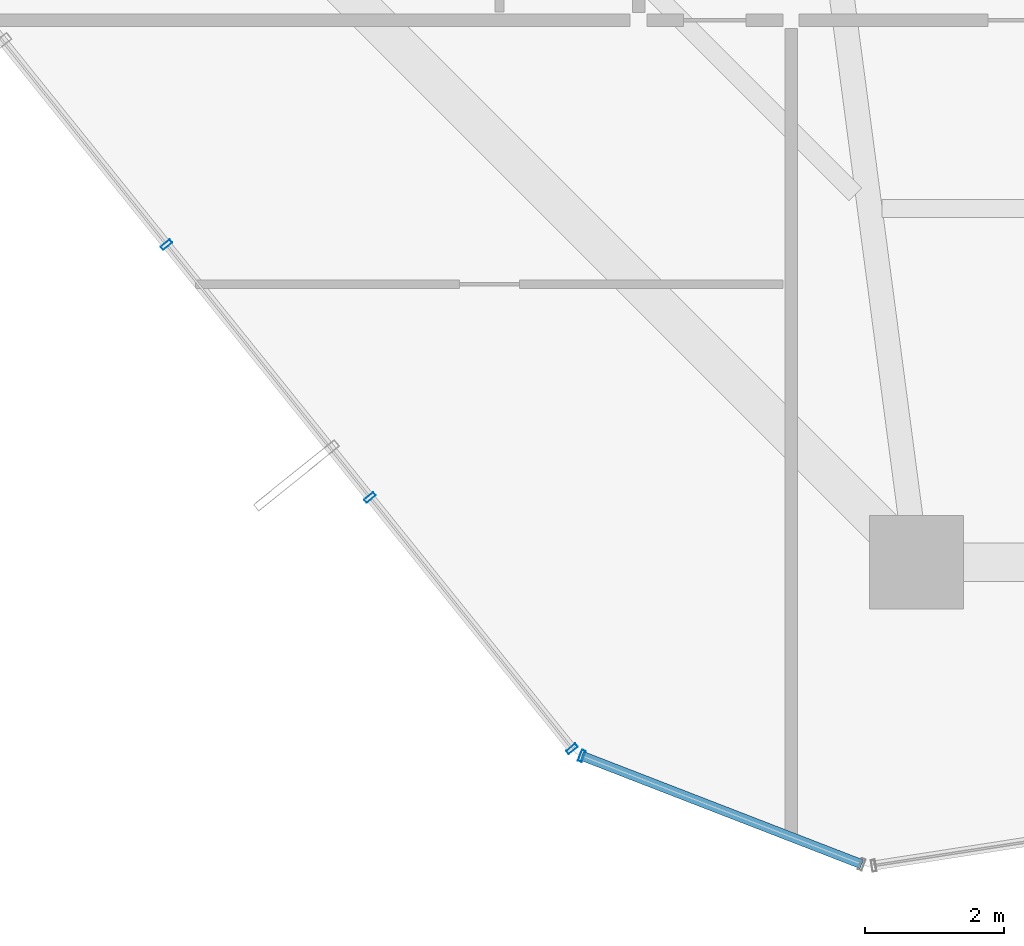
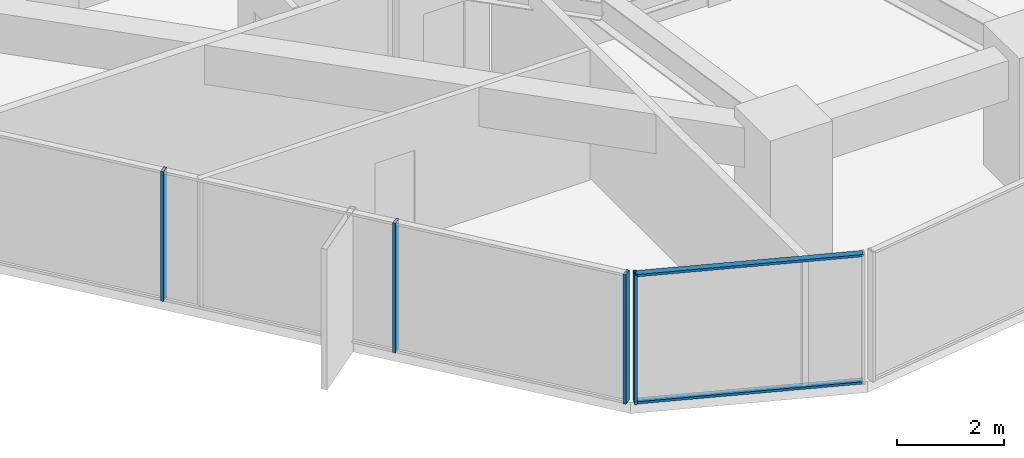
# One storey, part 2 of 37: 6 members, 2 elements without a shape of their own.
"""IFC4 building model written with IfcOpenShell, lengths in metres."""

from ifc_helpers import new_model, si_unit, direction, frame, origin, origin_2d, place, context, subcontext, project, spatial, hollow_rectangle, extrude, source, transform, mapped, material, layer, layer_set, material_profile, profile_set, type_object, element, aggregate, save


model = new_model("IFC4")

# Units and contexts
model_context = context("Model", 3, precision=1e-05, world=origin(), true_north=direction((0.0, 1.0)))
body_context = subcontext(model_context, "Body", "Model", "MODEL_VIEW")
ifc_project = project(units=[si_unit("LENGTHUNIT", "METRE"), si_unit("AREAUNIT", "SQUARE_METRE"), si_unit("VOLUMEUNIT", "CUBIC_METRE"), si_unit("PLANEANGLEUNIT", "RADIAN"), si_unit("MASSUNIT", "GRAM", prefix="KILO")], contexts=[model_context])

# Site, building, storey
site_placement = place(None, origin())
site = spatial("IfcSite", under=ifc_project, at=site_placement, CompositionType="ELEMENT")
building_placement = place(site_placement, origin())
building = spatial("IfcBuilding", under=site, at=building_placement, Name="Veraguas Prism Commons", CompositionType="ELEMENT")
storey_placement = place(building_placement, frame((0.0, 0.0, 53.300048828125)))
storey = spatial("IfcBuildingStorey", under=building, at=storey_placement, Name="L14", CompositionType="ELEMENT", Elevation=53.300048828125)

# Curtain wall, members
ifc_material = material(Name="Anodised aluminium EN AW-6063 T6", Category="aluminium")
ifc_layer = layer(ifc_material, 0.169921875, Name="Unitised Flush Curtain Wall Zone 1", Category="aluminium")
ifc_layer_set = layer_set([ifc_layer], Name="Anodised aluminium EN AW-6063 T6")
curtain_wall_type = type_object("IfcCurtainWallType", Name="Unitised Flush Curtain Wall Zone 1", PredefinedType="NOTDEFINED", material=ifc_layer_set)
curtain_wall_1_placement = place(storey_placement, origin())
curtain_wall_1 = element("IfcCurtainWall", 1, at=curtain_wall_1_placement, inside=storey, type_object=curtain_wall_type, Name="Chamfer Curtain Wall L14-C5", PredefinedType="NOTDEFINED")
ifc_material_profile_1 = material_profile(ifc_material, hollow_rectangle(XDim=0.054931640625, YDim=0.135009765625, WallThickness=0.0029296875, at=origin_2d()), Name="AL55X135X3")
ifc_profile_set_1 = profile_set([ifc_material_profile_1], Name="Anodised aluminium EN AW-6063 T6")
member_type_1 = type_object("IfcMemberType", Name="Curtain Wall Transom Standard AL 55x135x3", PredefinedType="USERDEFINED", material=ifc_profile_set_1)
shared_shape_1 = source(origin(), body_context, "Body", "SweptSolid", [
    extrude(hollow_rectangle(XDim=0.054931640625, YDim=0.135009765625, WallThickness=0.0029296875, at=origin_2d()), origin(), (0.0, 0.0, 1.0), 4.31982421875),
])
member_1_placement = place(storey_placement, frame((13.7841796875, 3.61279296875, 0.02734375), z_axis=(0.932467406211, -0.361254116037, 0.0), x_axis=(0.0, 0.0, 1.0)))
member_1 = element("IfcMember", 2, at=member_1_placement, type_object=member_type_1, Name="CW-Z1 Transom 1", ObjectType="TRANSOM", PredefinedType="USERDEFINED", context=body_context, shape_type="MappedRepresentation", body=[
    mapped(shared_shape_1, transform((0.0, 0.0, 0.0), scale=1.0)),
])
member_2_placement = place(storey_placement, frame((13.7841796875, 3.61279296875, 2.9423828125), z_axis=(0.932467406211, -0.361254116037, 0.0), x_axis=(0.0, 0.0, 1.0)))
member_2 = element("IfcMember", 3, at=member_2_placement, type_object=member_type_1, Name="CW-Z1 Transom 2", ObjectType="TRANSOM", PredefinedType="USERDEFINED", context=body_context, shape_type="MappedRepresentation", body=[
    mapped(shared_shape_1, transform((0.0, 0.0, 0.0), scale=1.0)),
])

curtain_wall_2_placement = place(storey_placement, origin())
curtain_wall_2 = element("IfcCurtainWall", 4, at=curtain_wall_2_placement, inside=storey, type_object=curtain_wall_type, Name="Tower Facade Curtain Wall L14-F4", PredefinedType="NOTDEFINED")
ifc_material_profile_2 = material_profile(ifc_material, hollow_rectangle(XDim=0.06005859375, YDim=0.169921875, WallThickness=0.00390625, at=origin_2d()), Name="AL60X170X4")
ifc_profile_set_2 = profile_set([ifc_material_profile_2], Name="Anodised aluminium EN AW-6063 T6")
member_type_2 = type_object("IfcMemberType", Name="Curtain Wall Mullion Lower AL 60x170x4", PredefinedType="MULLION", material=ifc_profile_set_2)
shared_shape_2 = source(origin(), body_context, "Body", "SweptSolid", [
    extrude(hollow_rectangle(XDim=0.06005859375, YDim=0.169921875, WallThickness=0.00390625, at=origin_2d()), origin(), (0.0, 0.0, 1.0), 2.969970703125),
])
member_3_placement = place(storey_placement, frame((7.806396484375, 10.970703125, 0.0), z_axis=(0.0, 0.0, 1.0), x_axis=(0.626873093811, -0.779121379668, 0.0)))
member_3 = element("IfcMember", 5, at=member_3_placement, type_object=member_type_2, Name="CW-Z1 Mullion 3", PredefinedType="MULLION", context=body_context, shape_type="MappedRepresentation", body=[
    mapped(shared_shape_2, transform((0.0, 0.0, 0.0), scale=1.0)),
])
member_4_placement = place(storey_placement, frame((10.734375, 7.331298828125, 0.0), z_axis=(0.0, 0.0, 1.0), x_axis=(0.626873093811, -0.779121379668, 0.0)))
member_4 = element("IfcMember", 6, at=member_4_placement, type_object=member_type_2, Name="CW-Z1 Mullion 4", PredefinedType="MULLION", context=body_context, shape_type="MappedRepresentation", body=[
    mapped(shared_shape_2, transform((0.0, 0.0, 0.0), scale=1.0)),
])
member_5_placement = place(storey_placement, frame((13.643798828125, 3.715576171875, 0.0), z_axis=(0.0, 0.0, 1.0), x_axis=(0.626873093811, -0.779121379668, 0.0)))
member_5 = element("IfcMember", 7, at=member_5_placement, type_object=member_type_2, Name="CW-Z1 Mullion 5", PredefinedType="MULLION", context=body_context, shape_type="MappedRepresentation", body=[
    mapped(shared_shape_2, transform((0.0, 0.0, 0.0), scale=1.0)),
])
aggregate(curtain_wall_2, [member_3, member_4, member_5])

# Member
member_6_placement = place(storey_placement, frame((13.7841796875, 3.61279296875, 0.0), z_axis=(0.0, 0.0, 1.0), x_axis=(0.932458803125, -0.361276321498, 0.0)))
member_6 = element("IfcMember", 8, at=member_6_placement, type_object=member_type_2, Name="CW-Z1 Mullion 1", PredefinedType="MULLION", context=body_context, shape_type="MappedRepresentation", body=[
    mapped(shared_shape_2, transform((0.0, 0.0, 0.0), scale=1.0)),
])

aggregate(curtain_wall_1, [member_6, member_1, member_2])

save(model, "model.ifc")
